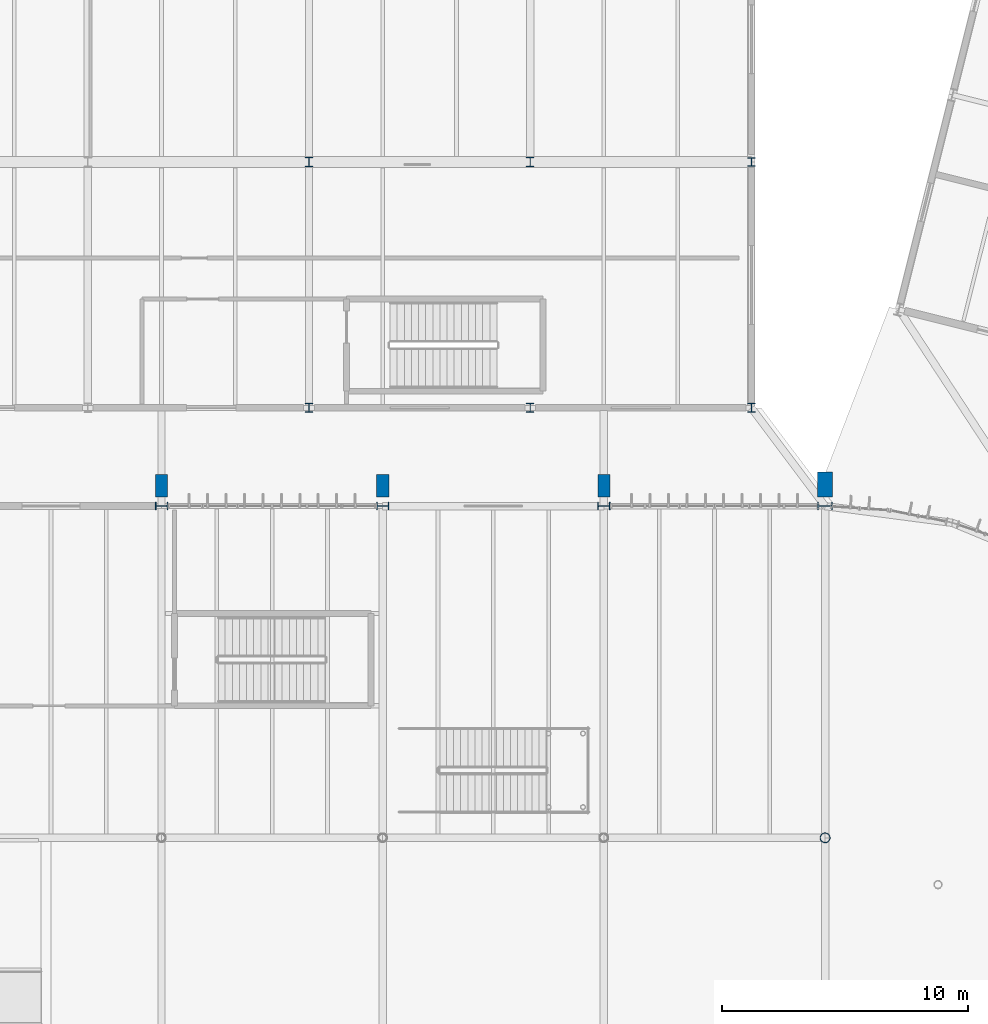
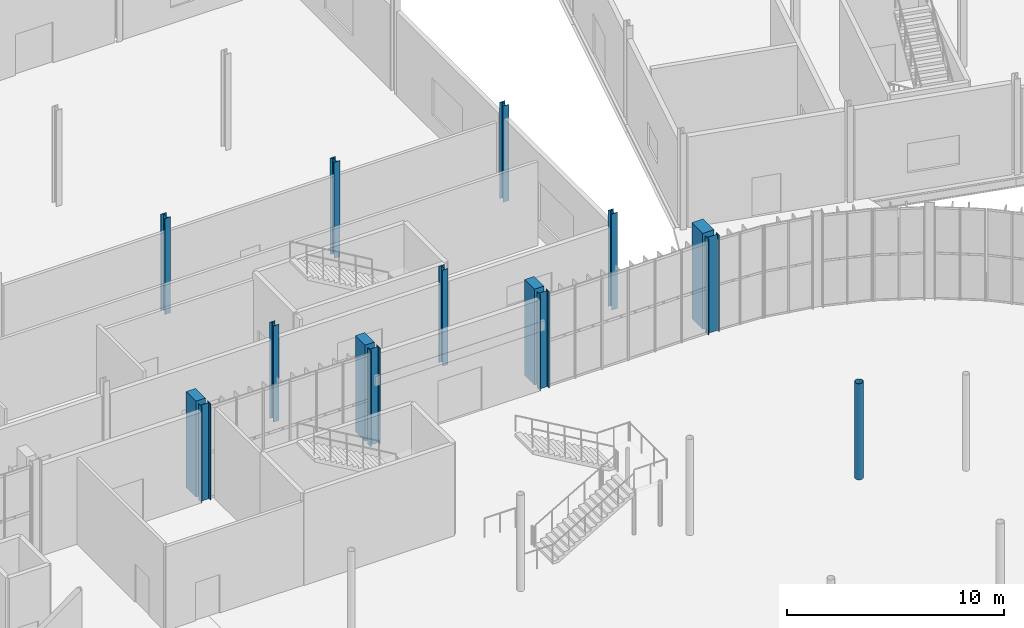
# One storey, part 15 of 158: 15 columns.
"""IFC4 building model written with IfcOpenShell, lengths in metres."""

from ifc_helpers import new_model, si_unit, derived_unit, direction, frame, origin, origin_2d, place, context, subcontext, project, spatial, rectangle, hollow_circle, i_section, extrude, material, material_profile, profile_set, type_object, element, save


model = new_model("IFC4")

# Units and contexts
model_context = context("Model", 3, precision=1e-05, world=origin(), true_north=direction((0.0, 1.0)))
body_context = subcontext(model_context, "Body", "Model", "MODEL_VIEW")
ifc_project = project(units=[si_unit("LENGTHUNIT", "METRE"), si_unit("AREAUNIT", "SQUARE_METRE"), si_unit("VOLUMEUNIT", "CUBIC_METRE"), si_unit("PLANEANGLEUNIT", "RADIAN"), si_unit("MASSUNIT", "GRAM", prefix="KILO"), si_unit("THERMODYNAMICTEMPERATUREUNIT", "KELVIN"), si_unit("TIMEUNIT", "SECOND"), derived_unit("THERMALTRANSMITTANCEUNIT", [(si_unit("MASSUNIT", "GRAM", prefix="KILO"), 1), (si_unit("THERMODYNAMICTEMPERATUREUNIT", "KELVIN"), -1), (si_unit("TIMEUNIT", "SECOND"), -3)])], contexts=[model_context])

# Site, building, storey
site_placement = place(None, origin())
site = spatial("IfcSite", under=ifc_project, at=site_placement, CompositionType="ELEMENT")
building_placement = place(site_placement, origin())
building = spatial("IfcBuilding", under=site, at=building_placement, Name="Cambertide Market Hall", CompositionType="ELEMENT")
storey_placement = place(building_placement, origin())
storey = spatial("IfcBuildingStorey", under=building, at=storey_placement, Name="L01", CompositionType="ELEMENT", Elevation=0.0)

# Columns
ifc_material_1 = material(Name="Concrete B35", Category="concrete")
ifc_material_profile_1 = material_profile(ifc_material_1, rectangle(XDim=0.5, YDim=0.89990234375, at=origin_2d()), Name="RC 500x900")
ifc_profile_set_1 = profile_set([ifc_material_profile_1], Name="Concrete B35")
column_type_1 = type_object("IfcColumnType", Name="Exterior Concrete Buttress Pilaster RC 500x900", PredefinedType="PILASTER", material=ifc_profile_set_1)
for number, where, z_axis, x_axis, name in (
    (1, (78.0, 92.830078125, 0.0), (0.0, 0.0, 1.0), (1.0, 0.0, 0.0), "Level 1 Pilaster PIL-V1-N5-L01"),
    (2, (87.0, 92.830078125, 0.0), (0.0, 0.0, 1.0), (1.0, 0.0, 0.0), "Level 1 Pilaster PIL-V1-N6-L01"),
    (3, (96.0, 92.830078125, 0.0), (0.0, 0.0, 1.0), (1.0, 0.0, 0.0), "Level 1 Pilaster PIL-V1-N7-L01"),
):
    element("IfcColumn", number, at=place(storey_placement, frame(where, z_axis=z_axis, x_axis=x_axis)), inside=storey, type_object=column_type_1, Name=name, PredefinedType="PILASTER", context=body_context, shape_type="SweptSolid", body=[
        extrude(rectangle(XDim=0.5, YDim=0.89990234375, at=origin_2d()), origin(), (0.0, 0.0, 1.0), 5.39990234375),
    ])
ifc_material_2 = material(Name="Concrete B35", Category="concrete")
ifc_material_profile_2 = material_profile(ifc_material_2, rectangle(XDim=0.60009765625, YDim=1.0, at=origin_2d()), Name="RC 600x1000")
ifc_profile_set_2 = profile_set([ifc_material_profile_2], Name="Concrete B35")
column_type_2 = type_object("IfcColumnType", Name="Exterior Concrete Buttress Pilaster RC 600x1000", PredefinedType="PILASTER", material=ifc_profile_set_2)
column_1_placement = place(storey_placement, frame((105.0, 92.8798828125, 0.0), z_axis=(0.0, 0.0, 1.0), x_axis=(1.0, 0.0, 0.0)))
element("IfcColumn", 4, at=column_1_placement, inside=storey, type_object=column_type_2, Name="Level 1 Pilaster PIL-V1-N8-L01", PredefinedType="PILASTER", context=body_context, shape_type="SweptSolid", body=[
    extrude(rectangle(XDim=0.60009765625, YDim=1.0, at=origin_2d()), origin(), (0.0, 0.0, 1.0), 5.39990234375),
])
ifc_material_3 = material(Name="Steel S355", Category="steel")
ifc_material_profile_3 = material_profile(ifc_material_3, i_section(OverallWidth=0.300048828125, OverallDepth=0.360107421875, WebThickness=0.012451171875, FlangeThickness=0.0224609375, FilletRadius=0.027099609375, at=origin_2d()), Name="HEB 360")
ifc_profile_set_3 = profile_set([ifc_material_profile_3], Name="Steel S355")
column_type_3 = type_object("IfcColumnType", Name="Exterior Steel Column HEB 360", PredefinedType="COLUMN", material=ifc_profile_set_3)
for number, where, z_axis, x_axis, name in (
    (5, (84.0, 96.0, 0.0), (0.0, 0.0, 1.0), (1.0, 0.0, 0.0), "Level 1 Column COL-V2-9-1-L01"),
    (6, (93.0, 96.0, 0.0), (0.0, 0.0, 1.0), (1.0, 0.0, 0.0), "Level 1 Column COL-V2-10-1-L01"),
    (7, (102.0, 96.0, 0.0), (0.0, 0.0, 1.0), (1.0, 0.0, 0.0), "Level 1 Column COL-V2-11-1-L01"),
    (8, (102.0, 106.0, 0.0), (0.0, 0.0, 1.0), (1.0, 0.0, 0.0), "Level 1 Column COL-V2-11-2-L01"),
):
    element("IfcColumn", number, at=place(storey_placement, frame(where, z_axis=z_axis, x_axis=x_axis)), inside=storey, type_object=column_type_3, Name=name, PredefinedType="COLUMN", context=body_context, shape_type="SweptSolid", body=[
        extrude(i_section(OverallWidth=0.300048828125, OverallDepth=0.360107421875, WebThickness=0.012451171875, FlangeThickness=0.0224609375, FilletRadius=0.027099609375, at=origin_2d()), origin(), (0.0, 0.0, 1.0), 5.39990234375),
    ])
ifc_material_4 = material(Name="Steel S355", Category="steel")
ifc_material_profile_4 = material_profile(ifc_material_4, i_section(OverallWidth=0.300048828125, OverallDepth=0.5, WebThickness=0.014404296875, FlangeThickness=0.028076171875, FilletRadius=0.027099609375, at=origin_2d()), Name="HEB 500")
ifc_profile_set_4 = profile_set([ifc_material_profile_4], Name="Steel S355")
column_type_4 = type_object("IfcColumnType", Name="Exterior Steel Column HEB 500", PredefinedType="COLUMN", material=ifc_profile_set_4)
for number, where, z_axis, x_axis, name in (
    (9, (78.0, 92.0, 0.0), (0.0, 0.0, 1.0), (0.0, 1.0, 0.0), "Level 1 Column COL-V1-N5-L01"),
    (10, (87.0, 92.0, 0.0), (0.0, 0.0, 1.0), (0.0, 1.0, 0.0), "Level 1 Column COL-V1-N6-L01"),
    (11, (96.0, 92.0, 0.0), (0.0, 0.0, 1.0), (0.0, 1.0, 0.0), "Level 1 Column COL-V1-N7-L01"),
):
    element("IfcColumn", number, at=place(storey_placement, frame(where, z_axis=z_axis, x_axis=x_axis)), inside=storey, type_object=column_type_4, Name=name, PredefinedType="COLUMN", context=body_context, shape_type="SweptSolid", body=[
        extrude(i_section(OverallWidth=0.300048828125, OverallDepth=0.5, WebThickness=0.014404296875, FlangeThickness=0.028076171875, FilletRadius=0.027099609375, at=origin_2d()), origin(), (0.0, 0.0, 1.0), 5.39990234375),
    ])
ifc_material_5 = material(Name="Steel S355", Category="steel")
ifc_material_profile_5 = material_profile(ifc_material_5, i_section(OverallWidth=0.300048828125, OverallDepth=0.60009765625, WebThickness=0.015380859375, FlangeThickness=0.030029296875, FilletRadius=0.027099609375, at=origin_2d()), Name="HEB 600")
ifc_profile_set_5 = profile_set([ifc_material_profile_5], Name="Steel S355")
column_type_5 = type_object("IfcColumnType", Name="Exterior Steel Column HEB 600", PredefinedType="COLUMN", material=ifc_profile_set_5)
column_2_placement = place(storey_placement, frame((105.0, 92.0, 0.0), z_axis=(0.0, 0.0, 1.0), x_axis=(0.0, 1.0, 0.0)))
element("IfcColumn", 12, at=column_2_placement, inside=storey, type_object=column_type_5, Name="Level 1 Column COL-V1-N8-L01", PredefinedType="COLUMN", context=body_context, shape_type="SweptSolid", body=[
    extrude(i_section(OverallWidth=0.300048828125, OverallDepth=0.60009765625, WebThickness=0.015380859375, FlangeThickness=0.030029296875, FilletRadius=0.027099609375, at=origin_2d()), origin(), (0.0, 0.0, 1.0), 5.39990234375),
])
ifc_material_6 = material(Name="Steel S355", Category="steel")
ifc_material_profile_6 = material_profile(ifc_material_6, hollow_circle(Radius=0.203125, WallThickness=0.01416015625, at=origin_2d()), Name="CHS 406.4x14.2")
ifc_profile_set_6 = profile_set([ifc_material_profile_6], Name="Steel S355")
column_type_6 = type_object("IfcColumnType", Name="Steel Column CHS 406.4x14.2", PredefinedType="COLUMN", material=ifc_profile_set_6)
column_3_placement = place(storey_placement, frame((105.0, 78.5, 0.0), z_axis=(0.0, 0.0, 1.0), x_axis=(1.0, 0.0, 0.0)))
element("IfcColumn", 13, at=column_3_placement, inside=storey, type_object=column_type_6, Name="Level 1 Column COL-V1-MN8-L01", PredefinedType="COLUMN", context=body_context, shape_type="SweptSolid", body=[
    extrude(hollow_circle(Radius=0.203125, WallThickness=0.01416015625, at=origin_2d()), origin(), (0.0, 0.0, 1.0), 5.39990234375),
])
ifc_material_7 = material(Name="Steel S355", Category="steel")
ifc_material_profile_7 = material_profile(ifc_material_7, i_section(OverallWidth=0.300048828125, OverallDepth=0.39990234375, WebThickness=0.013427734375, FlangeThickness=0.02392578125, FilletRadius=0.027099609375, at=origin_2d()), Name="HEB 400")
ifc_profile_set_7 = profile_set([ifc_material_profile_7], Name="Steel S355")
column_type_7 = type_object("IfcColumnType", Name="Steel Column HEB 400", PredefinedType="COLUMN", material=ifc_profile_set_7)
for number, where, z_axis, x_axis, name in (
    (14, (84.0, 106.0, 0.0), (0.0, 0.0, 1.0), (1.0, 0.0, 0.0), "Level 1 Column COL-V2-9-2-L01"),
    (15, (93.0, 106.0, 0.0), (0.0, 0.0, 1.0), (1.0, 0.0, 0.0), "Level 1 Column COL-V2-10-2-L01"),
):
    element("IfcColumn", number, at=place(storey_placement, frame(where, z_axis=z_axis, x_axis=x_axis)), inside=storey, type_object=column_type_7, Name=name, PredefinedType="COLUMN", context=body_context, shape_type="SweptSolid", body=[
        extrude(i_section(OverallWidth=0.300048828125, OverallDepth=0.39990234375, WebThickness=0.013427734375, FlangeThickness=0.02392578125, FilletRadius=0.027099609375, at=origin_2d()), origin(), (0.0, 0.0, 1.0), 5.39990234375),
    ])

save(model, "model.ifc")
